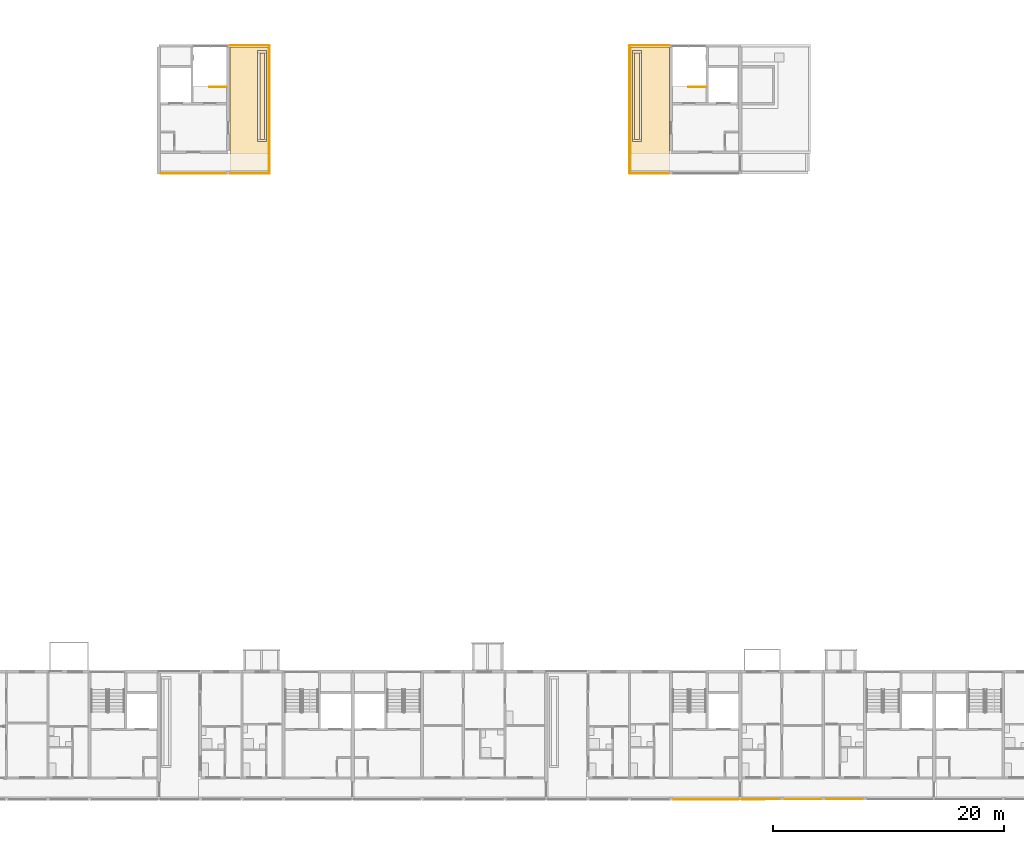
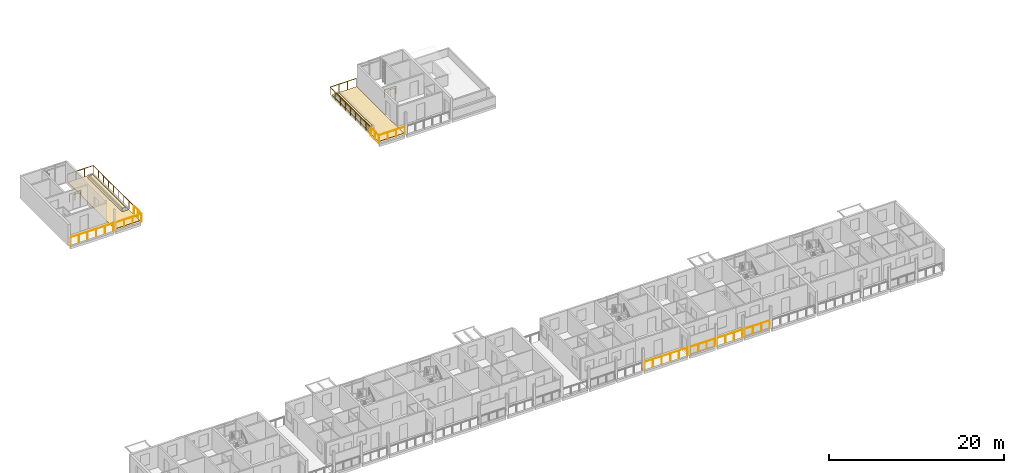
# One storey, part 65 of 78: 13 railings, 6 coverings.
"""IFC4 building model written with IfcOpenShell, lengths in metres."""

from ifc_helpers import new_model, si_unit, direction, frame, origin, origin_2d, place, context, subcontext, project, spatial, polyline, circle, outline, extrude, material, layer, layer_set, type_object, element, save


model = new_model("IFC4")

# Units and contexts
model_context = context("Model", 3, precision=1e-05, world=origin(), true_north=direction((0.0, 1.0)))
body_context = subcontext(model_context, "Body", "Model", "MODEL_VIEW")
ifc_project = project(units=[si_unit("LENGTHUNIT", "METRE"), si_unit("AREAUNIT", "SQUARE_METRE"), si_unit("VOLUMEUNIT", "CUBIC_METRE"), si_unit("PLANEANGLEUNIT", "RADIAN"), si_unit("MASSUNIT", "GRAM", prefix="KILO")], contexts=[model_context])

# Site, building, storey
site_placement = place(None, origin())
site = spatial("IfcSite", under=ifc_project, at=site_placement, CompositionType="ELEMENT")
building_placement = place(site_placement, origin())
building = spatial("IfcBuilding", under=site, at=building_placement, Name="Ridgestep Commons", CompositionType="ELEMENT")
storey_placement = place(building_placement, frame((0.0, 0.0, 30.0)))
storey = spatial("IfcBuildingStorey", under=building, at=storey_placement, Name="L10", CompositionType="ELEMENT", Elevation=30.0)

# Railings
ifc_material_1 = material(Name="Structural steel S355JR", Category="steel")
railing_type_1 = type_object("IfcRailingType", Name="Guard 1100", PredefinedType="GUARDRAIL", material=ifc_material_1)
railing_1_placement = place(storey_placement, frame((38.37890625, 67.821044921875, 0.0)))
element("IfcRailing", 1, at=railing_1_placement, inside=storey, type_object=railing_type_1, Name="Guard TD-B2R3-GD", PredefinedType="GUARDRAIL", context=body_context, shape_type="SweptSolid", body=[
    extrude(circle(Radius=0.02392578125, at=origin_2d()), frame((0.0, 0.0, 1.076171875), z_axis=(0.0, 1.0, 0.0), x_axis=(-1.0, 0.0, 0.0)), (0.0, 0.0, 1.0), 9.303955078125),
    extrude(circle(Radius=0.02392578125, at=origin_2d()), frame((0.0, 9.303955078125, 1.076171875), z_axis=(-1.0, 0.0, 0.0), x_axis=(0.0, -1.0, 0.0)), (0.0, 0.0, 1.0), 3.432861328125),
    extrude(circle(Radius=0.02099609375, at=origin_2d()), origin(), (0.0, 0.0, 1.0), 1.052001953125),
    extrude(circle(Radius=0.02099609375, at=origin_2d()), frame((0.0, 1.1630859375, 0.0)), (0.0, 0.0, 1.0), 1.052001953125),
    extrude(circle(Radius=0.02099609375, at=origin_2d()), frame((0.0, 2.325927734375, 0.0)), (0.0, 0.0, 1.0), 1.052001953125),
    extrude(circle(Radius=0.02099609375, at=origin_2d()), frame((0.0, 3.489013671875, 0.0)), (0.0, 0.0, 1.0), 1.052001953125),
    extrude(circle(Radius=0.02099609375, at=origin_2d()), frame((0.0, 4.65185546875, 0.0)), (0.0, 0.0, 1.0), 1.052001953125),
    extrude(circle(Radius=0.02099609375, at=origin_2d()), frame((0.0, 5.81494140625, 0.0)), (0.0, 0.0, 1.0), 1.052001953125),
    extrude(circle(Radius=0.02099609375, at=origin_2d()), frame((0.0, 6.97802734375, 0.0)), (0.0, 0.0, 1.0), 1.052001953125),
    extrude(circle(Radius=0.02099609375, at=origin_2d()), frame((0.0, 8.140869140625, 0.0)), (0.0, 0.0, 1.0), 1.052001953125),
    extrude(circle(Radius=0.02099609375, at=origin_2d()), frame((0.0, 9.303955078125, 0.0)), (0.0, 0.0, 1.0), 1.052001953125),
    extrude(circle(Radius=0.02099609375, at=origin_2d()), frame((-1.144287109375, 9.303955078125, 0.0)), (0.0, 0.0, 1.0), 1.052001953125),
    extrude(circle(Radius=0.02099609375, at=origin_2d()), frame((-2.28857421875, 9.303955078125, 0.0)), (0.0, 0.0, 1.0), 1.052001953125),
    extrude(circle(Radius=0.02099609375, at=origin_2d()), frame((-3.432861328125, 9.303955078125, 0.0)), (0.0, 0.0, 1.0), 1.052001953125),
])
railing_2_placement = place(storey_placement, frame((69.62109375, 67.821044921875, 0.0)))
element("IfcRailing", 2, at=railing_2_placement, inside=storey, type_object=railing_type_1, Name="Guard TD-B4R3-GD", PredefinedType="GUARDRAIL", context=body_context, shape_type="SweptSolid", body=[
    extrude(circle(Radius=0.02392578125, at=origin_2d()), frame((0.0, 0.0, 1.076171875), z_axis=(0.0, 1.0, 0.0), x_axis=(-1.0, 0.0, 0.0)), (0.0, 0.0, 1.0), 9.303955078125),
    extrude(circle(Radius=0.02392578125, at=origin_2d()), frame((0.0, 9.303955078125, 1.076171875), z_axis=(1.0, 0.0, 0.0), x_axis=(0.0, 1.0, 0.0)), (0.0, 0.0, 1.0), 3.432861328125),
    extrude(circle(Radius=0.02099609375, at=origin_2d()), origin(), (0.0, 0.0, 1.0), 1.052001953125),
    extrude(circle(Radius=0.02099609375, at=origin_2d()), frame((0.0, 1.1630859375, 0.0)), (0.0, 0.0, 1.0), 1.052001953125),
    extrude(circle(Radius=0.02099609375, at=origin_2d()), frame((0.0, 2.325927734375, 0.0)), (0.0, 0.0, 1.0), 1.052001953125),
    extrude(circle(Radius=0.02099609375, at=origin_2d()), frame((0.0, 3.489013671875, 0.0)), (0.0, 0.0, 1.0), 1.052001953125),
    extrude(circle(Radius=0.02099609375, at=origin_2d()), frame((0.0, 4.65185546875, 0.0)), (0.0, 0.0, 1.0), 1.052001953125),
    extrude(circle(Radius=0.02099609375, at=origin_2d()), frame((0.0, 5.81494140625, 0.0)), (0.0, 0.0, 1.0), 1.052001953125),
    extrude(circle(Radius=0.02099609375, at=origin_2d()), frame((0.0, 6.97802734375, 0.0)), (0.0, 0.0, 1.0), 1.052001953125),
    extrude(circle(Radius=0.02099609375, at=origin_2d()), frame((0.0, 8.140869140625, 0.0)), (0.0, 0.0, 1.0), 1.052001953125),
    extrude(circle(Radius=0.02099609375, at=origin_2d()), frame((0.0, 9.303955078125, 0.0)), (0.0, 0.0, 1.0), 1.052001953125),
    extrude(circle(Radius=0.02099609375, at=origin_2d()), frame((1.144287109375, 9.303955078125, 0.0)), (0.0, 0.0, 1.0), 1.052001953125),
    extrude(circle(Radius=0.02099609375, at=origin_2d()), frame((2.28857421875, 9.303955078125, 0.0)), (0.0, 0.0, 1.0), 1.052001953125),
    extrude(circle(Radius=0.02099609375, at=origin_2d()), frame((3.432861328125, 9.303955078125, 0.0)), (0.0, 0.0, 1.0), 1.052001953125),
])
railing_3_placement = place(storey_placement, frame((73.345947265625, 11.800048828125, 0.0)))
element("IfcRailing", 3, at=railing_3_placement, inside=storey, type_object=railing_type_1, Name="Gallery guard A 10.16", PredefinedType="GUARDRAIL", context=body_context, shape_type="SweptSolid", body=[
    extrude(circle(Radius=0.02392578125, at=origin_2d()), frame((0.0, 0.0, 1.076171875), z_axis=(1.0, 0.0, 0.0), x_axis=(0.0, 1.0, 0.0)), (0.0, 0.0, 1.0), 5.68310546875),
    extrude(circle(Radius=0.02099609375, at=origin_2d()), origin(), (0.0, 0.0, 1.0), 1.052001953125),
    extrude(circle(Radius=0.02099609375, at=origin_2d()), frame((1.13671875, 0.0, 0.0)), (0.0, 0.0, 1.0), 1.052001953125),
    extrude(circle(Radius=0.02099609375, at=origin_2d()), frame((2.273193359375, 0.0, 0.0)), (0.0, 0.0, 1.0), 1.052001953125),
    extrude(circle(Radius=0.02099609375, at=origin_2d()), frame((3.409912109375, 0.0, 0.0)), (0.0, 0.0, 1.0), 1.052001953125),
    extrude(circle(Radius=0.02099609375, at=origin_2d()), frame((4.54638671875, 0.0, 0.0)), (0.0, 0.0, 1.0), 1.052001953125),
    extrude(circle(Radius=0.02099609375, at=origin_2d()), frame((5.68310546875, 0.0, 0.0)), (0.0, 0.0, 1.0), 1.052001953125),
])
railing_4_placement = place(storey_placement, frame((79.37109375, 11.800048828125, 0.0)))
element("IfcRailing", 4, at=railing_4_placement, inside=storey, type_object=railing_type_1, Name="Gallery guard A 10.17", PredefinedType="GUARDRAIL", context=body_context, shape_type="SweptSolid", body=[
    extrude(circle(Radius=0.02392578125, at=origin_2d()), frame((0.0, 0.0, 1.076171875), z_axis=(1.0, 0.0, 0.0), x_axis=(0.0, 1.0, 0.0)), (0.0, 0.0, 1.0), 3.282958984375),
    extrude(circle(Radius=0.02099609375, at=origin_2d()), origin(), (0.0, 0.0, 1.0), 1.052001953125),
    extrude(circle(Radius=0.02099609375, at=origin_2d()), frame((1.09423828125, 0.0, 0.0)), (0.0, 0.0, 1.0), 1.052001953125),
    extrude(circle(Radius=0.02099609375, at=origin_2d()), frame((2.188720703125, 0.0, 0.0)), (0.0, 0.0, 1.0), 1.052001953125),
    extrude(circle(Radius=0.02099609375, at=origin_2d()), frame((3.282958984375, 0.0, 0.0)), (0.0, 0.0, 1.0), 1.052001953125),
])
railing_5_placement = place(storey_placement, frame((82.946044921875, 11.800048828125, 0.0)))
element("IfcRailing", 5, at=railing_5_placement, inside=storey, type_object=railing_type_1, Name="Gallery guard A 10.18", PredefinedType="GUARDRAIL", context=body_context, shape_type="SweptSolid", body=[
    extrude(circle(Radius=0.02392578125, at=origin_2d()), frame((0.0, 0.0, 1.076171875), z_axis=(1.0, 0.0, 0.0), x_axis=(0.0, 1.0, 0.0)), (0.0, 0.0, 1.0), 3.307861328125),
    extrude(circle(Radius=0.02099609375, at=origin_2d()), origin(), (0.0, 0.0, 1.0), 1.052001953125),
    extrude(circle(Radius=0.02099609375, at=origin_2d()), frame((1.1025390625, 0.0, 0.0)), (0.0, 0.0, 1.0), 1.052001953125),
    extrude(circle(Radius=0.02099609375, at=origin_2d()), frame((2.205322265625, 0.0, 0.0)), (0.0, 0.0, 1.0), 1.052001953125),
    extrude(circle(Radius=0.02099609375, at=origin_2d()), frame((3.307861328125, 0.0, 0.0)), (0.0, 0.0, 1.0), 1.052001953125),
])
railing_6_placement = place(storey_placement, frame((86.5458984375, 11.800048828125, 0.0)))
element("IfcRailing", 6, at=railing_6_placement, inside=storey, type_object=railing_type_1, Name="Gallery guard A 10.19", PredefinedType="GUARDRAIL", context=body_context, shape_type="SweptSolid", body=[
    extrude(circle(Radius=0.02392578125, at=origin_2d()), frame((0.0, 0.0, 1.076171875), z_axis=(1.0, 0.0, 0.0), x_axis=(0.0, 1.0, 0.0)), (0.0, 0.0, 1.0), 3.30810546875),
    extrude(circle(Radius=0.02099609375, at=origin_2d()), origin(), (0.0, 0.0, 1.0), 1.052001953125),
    extrude(circle(Radius=0.02099609375, at=origin_2d()), frame((1.102783203125, 0.0, 0.0)), (0.0, 0.0, 1.0), 1.052001953125),
    extrude(circle(Radius=0.02099609375, at=origin_2d()), frame((2.205322265625, 0.0, 0.0)), (0.0, 0.0, 1.0), 1.052001953125),
    extrude(circle(Radius=0.02099609375, at=origin_2d()), frame((3.30810546875, 0.0, 0.0)), (0.0, 0.0, 1.0), 1.052001953125),
])
railing_7_placement = place(storey_placement, frame((28.970947265625, 66.050048828125, 0.0)))
element("IfcRailing", 7, at=railing_7_placement, inside=storey, type_object=railing_type_1, Name="Gallery guard B 10.1", PredefinedType="GUARDRAIL", context=body_context, shape_type="SweptSolid", body=[
    extrude(circle(Radius=0.02392578125, at=origin_2d()), frame((0.0, 0.0, 1.076171875), z_axis=(1.0, 0.0, 0.0), x_axis=(0.0, 1.0, 0.0)), (0.0, 0.0, 1.0), 5.68310546875),
    extrude(circle(Radius=0.02099609375, at=origin_2d()), origin(), (0.0, 0.0, 1.0), 1.052001953125),
    extrude(circle(Radius=0.02099609375, at=origin_2d()), frame((1.13671875, 0.0, 0.0)), (0.0, 0.0, 1.0), 1.052001953125),
    extrude(circle(Radius=0.02099609375, at=origin_2d()), frame((2.273193359375, 0.0, 0.0)), (0.0, 0.0, 1.0), 1.052001953125),
    extrude(circle(Radius=0.02099609375, at=origin_2d()), frame((3.409912109375, 0.0, 0.0)), (0.0, 0.0, 1.0), 1.052001953125),
    extrude(circle(Radius=0.02099609375, at=origin_2d()), frame((4.54638671875, 0.0, 0.0)), (0.0, 0.0, 1.0), 1.052001953125),
    extrude(circle(Radius=0.02099609375, at=origin_2d()), frame((5.68310546875, 0.0, 0.0)), (0.0, 0.0, 1.0), 1.052001953125),
])
railing_8_placement = place(storey_placement, frame((34.946044921875, 66.050048828125, 0.0)))
element("IfcRailing", 8, at=railing_8_placement, inside=storey, type_object=railing_type_1, Name="Gallery guard B 10.2", PredefinedType="GUARDRAIL", context=body_context, shape_type="SweptSolid", body=[
    extrude(circle(Radius=0.02392578125, at=origin_2d()), frame((0.0, 0.0, 1.076171875), z_axis=(1.0, 0.0, 0.0), x_axis=(0.0, 1.0, 0.0)), (0.0, 0.0, 1.0), 3.369873046875),
    extrude(circle(Radius=0.02099609375, at=origin_2d()), origin(), (0.0, 0.0, 1.0), 1.052001953125),
    extrude(circle(Radius=0.02099609375, at=origin_2d()), frame((1.123291015625, 0.0, 0.0)), (0.0, 0.0, 1.0), 1.052001953125),
    extrude(circle(Radius=0.02099609375, at=origin_2d()), frame((2.24658203125, 0.0, 0.0)), (0.0, 0.0, 1.0), 1.052001953125),
    extrude(circle(Radius=0.02099609375, at=origin_2d()), frame((3.369873046875, 0.0, 0.0)), (0.0, 0.0, 1.0), 1.052001953125),
])
railing_9_placement = place(storey_placement, frame((38.37890625, 66.050048828125, 0.0)))
element("IfcRailing", 9, at=railing_9_placement, inside=storey, type_object=railing_type_1, Name="Gallery end guard B 10.2E", PredefinedType="GUARDRAIL", context=body_context, shape_type="SweptSolid", body=[
    extrude(circle(Radius=0.02392578125, at=origin_2d()), frame((0.0, 0.0, 1.076171875), z_axis=(0.0, 1.0, 0.0), x_axis=(-1.0, 0.0, 0.0)), (0.0, 0.0, 1.0), 1.72900390625),
    extrude(circle(Radius=0.02099609375, at=origin_2d()), origin(), (0.0, 0.0, 1.0), 1.052001953125),
    extrude(circle(Radius=0.02099609375, at=origin_2d()), frame((0.0, 0.864501953125, 0.0)), (0.0, 0.0, 1.0), 1.052001953125),
    extrude(circle(Radius=0.02099609375, at=origin_2d()), frame((0.0, 1.72900390625, 0.0)), (0.0, 0.0, 1.0), 1.052001953125),
])
railing_10_placement = place(storey_placement, frame((69.68408203125, 66.050048828125, 0.0)))
element("IfcRailing", 10, at=railing_10_placement, inside=storey, type_object=railing_type_1, Name="Gallery guard B 10.1", PredefinedType="GUARDRAIL", context=body_context, shape_type="SweptSolid", body=[
    extrude(circle(Radius=0.02392578125, at=origin_2d()), frame((0.0, 0.0, 1.076171875), z_axis=(1.0, 0.0, 0.0), x_axis=(0.0, 1.0, 0.0)), (0.0, 0.0, 1.0), 3.369873046875),
    extrude(circle(Radius=0.02099609375, at=origin_2d()), origin(), (0.0, 0.0, 1.0), 1.052001953125),
    extrude(circle(Radius=0.02099609375, at=origin_2d()), frame((1.123291015625, 0.0, 0.0)), (0.0, 0.0, 1.0), 1.052001953125),
    extrude(circle(Radius=0.02099609375, at=origin_2d()), frame((2.24658203125, 0.0, 0.0)), (0.0, 0.0, 1.0), 1.052001953125),
    extrude(circle(Radius=0.02099609375, at=origin_2d()), frame((3.369873046875, 0.0, 0.0)), (0.0, 0.0, 1.0), 1.052001953125),
])
railing_11_placement = place(storey_placement, frame((69.62109375, 66.050048828125, 0.0)))
element("IfcRailing", 11, at=railing_11_placement, inside=storey, type_object=railing_type_1, Name="Gallery end guard B 10.1W", PredefinedType="GUARDRAIL", context=body_context, shape_type="SweptSolid", body=[
    extrude(circle(Radius=0.02392578125, at=origin_2d()), frame((0.0, 0.0, 1.076171875), z_axis=(0.0, 1.0, 0.0), x_axis=(-1.0, 0.0, 0.0)), (0.0, 0.0, 1.0), 1.72900390625),
    extrude(circle(Radius=0.02099609375, at=origin_2d()), origin(), (0.0, 0.0, 1.0), 1.052001953125),
    extrude(circle(Radius=0.02099609375, at=origin_2d()), frame((0.0, 0.864501953125, 0.0)), (0.0, 0.0, 1.0), 1.052001953125),
    extrude(circle(Radius=0.02099609375, at=origin_2d()), frame((0.0, 1.72900390625, 0.0)), (0.0, 0.0, 1.0), 1.052001953125),
])

# Coverings
ifc_material_2 = material(Name="Planting soil")
ifc_layer_1 = layer(ifc_material_2, 0.35009765625)
ifc_layer_set_1 = layer_set([ifc_layer_1], Name="Planting soil 350")
covering_type_1 = type_object("IfcCoveringType", Name="Planting soil 350", PredefinedType="FLOORING", material=ifc_layer_set_1)
covering_1_placement = place(storey_placement, frame((0.0, 0.0, 0.010009765625)))
element("IfcCovering", 12, at=covering_1_placement, inside=storey, type_object=covering_type_1, Name="Planting soil B2R3", PredefinedType="FLOORING", context=body_context, shape_type="SweptSolid", body=[
    extrude(outline(polyline([(37.550048828125, 69.0), (37.949951171875, 69.0), (37.949951171875, 76.5), (37.550048828125, 76.5), (37.550048828125, 69.0)])), origin(), (0.0, 0.0, 1.0), 0.35009765625),
])
covering_2_placement = place(storey_placement, frame((0.0, 0.0, 0.010009765625)))
element("IfcCovering", 13, at=covering_2_placement, inside=storey, type_object=covering_type_1, Name="Planting soil B4R3", PredefinedType="FLOORING", context=body_context, shape_type="SweptSolid", body=[
    extrude(outline(polyline([(70.050048828125, 69.0), (70.449951171875, 69.0), (70.449951171875, 76.5), (70.050048828125, 76.5), (70.050048828125, 69.0)])), origin(), (0.0, 0.0, 1.0), 0.35009765625),
])

# Railings
ifc_material_3 = material(Name="Structural steel S355JR", Category="steel")
railing_type_2 = type_object("IfcRailingType", Name="Stair guard 1100", PredefinedType="GUARDRAIL", material=ifc_material_3)
for number, where, name in (
    (14, (34.675048828125, 73.550048828125, 0.0), "L10 B2C top well guard 1"),
    (15, (76.22509765625, 73.550048828125, 0.0), "L10 B4C top well guard 1"),
):
    element("IfcRailing", number, at=place(storey_placement, frame(where)), inside=storey, type_object=railing_type_2, Name=name, PredefinedType="GUARDRAIL", context=body_context, shape_type="SweptSolid", body=[
        extrude(circle(Radius=0.02392578125, at=origin_2d()), frame((0.0, 0.0, 1.076171875), z_axis=(-1.0, 0.0, 0.0), x_axis=(0.0, -1.0, 0.0)), (0.0, 0.0, 1.0), 1.5),
        extrude(circle(Radius=0.02099609375, at=origin_2d()), origin(), (0.0, 0.0, 1.0), 1.052001953125),
        extrude(circle(Radius=0.02099609375, at=origin_2d()), frame((-0.75, 0.0, 0.0)), (0.0, 0.0, 1.0), 1.052001953125),
        extrude(circle(Radius=0.02099609375, at=origin_2d()), frame((-1.5, 0.0, 0.0)), (0.0, 0.0, 1.0), 1.052001953125),
    ])

# Coverings
ifc_material_4 = material(Name="Bitumen membrane, two layer")
ifc_layer_2 = layer(ifc_material_4, 0.010009765625)
ifc_layer_set_2 = layer_set([ifc_layer_2], Name="Terrace membrane 10")
covering_type_2 = type_object("IfcCoveringType", Name="Terrace membrane 10", PredefinedType="ROOFING", material=ifc_layer_set_2)
covering_3_placement = place(storey_placement, origin())
element("IfcCovering", 16, at=covering_3_placement, inside=storey, type_object=covering_type_2, Name="Terrace membrane B2R3", PredefinedType="ROOFING", context=body_context, shape_type="SweptSolid", body=[
    extrude(outline(polyline([(38.27490234375, 66.25), (38.27490234375, 77.0), (34.949951171875, 77.0), (34.949951171875, 66.25), (38.27490234375, 66.25)]), holes=[polyline([(38.14990234375, 68.800048828125), (38.14990234375, 76.699951171875), (37.35009765625, 76.699951171875), (37.35009765625, 68.800048828125), (38.14990234375, 68.800048828125)])]), origin(), (0.0, 0.0, 1.0), 0.010009765625),
])
covering_4_placement = place(storey_placement, origin())
element("IfcCovering", 17, at=covering_4_placement, inside=storey, type_object=covering_type_2, Name="Terrace membrane B4R3", PredefinedType="ROOFING", context=body_context, shape_type="SweptSolid", body=[
    extrude(outline(polyline([(73.050048828125, 66.25), (73.050048828125, 77.0), (69.72509765625, 77.0), (69.72509765625, 66.25), (73.050048828125, 66.25)]), holes=[polyline([(70.64990234375, 68.800048828125), (70.64990234375, 76.699951171875), (69.85009765625, 76.699951171875), (69.85009765625, 68.800048828125), (70.64990234375, 68.800048828125)])]), origin(), (0.0, 0.0, 1.0), 0.010009765625),
])
ifc_material_5 = material(Name="Concrete paving slab", Category="concrete")
ifc_layer_3 = layer(ifc_material_5, 0.030029296875)
ifc_layer_set_3 = layer_set([ifc_layer_3], Name="Terrace paving 30")
covering_type_3 = type_object("IfcCoveringType", Name="Terrace paving 30", PredefinedType="FLOORING", material=ifc_layer_set_3)
covering_5_placement = place(storey_placement, frame((0.0, 0.0, 0.010009765625)))
element("IfcCovering", 18, at=covering_5_placement, inside=storey, type_object=covering_type_3, Name="Terrace paving B2R3", PredefinedType="FLOORING", context=body_context, shape_type="SweptSolid", body=[
    extrude(outline(polyline([(38.27490234375, 66.25), (38.27490234375, 77.0), (34.949951171875, 77.0), (34.949951171875, 66.25), (38.27490234375, 66.25)]), holes=[polyline([(38.14990234375, 68.800048828125), (38.14990234375, 76.699951171875), (37.35009765625, 76.699951171875), (37.35009765625, 68.800048828125), (38.14990234375, 68.800048828125)])]), origin(), (0.0, 0.0, 1.0), 0.030029296875),
])
covering_6_placement = place(storey_placement, frame((0.0, 0.0, 0.010009765625)))
element("IfcCovering", 19, at=covering_6_placement, inside=storey, type_object=covering_type_3, Name="Terrace paving B4R3", PredefinedType="FLOORING", context=body_context, shape_type="SweptSolid", body=[
    extrude(outline(polyline([(73.050048828125, 66.25), (73.050048828125, 77.0), (69.72509765625, 77.0), (69.72509765625, 66.25), (73.050048828125, 66.25)]), holes=[polyline([(70.64990234375, 68.800048828125), (70.64990234375, 76.699951171875), (69.85009765625, 76.699951171875), (69.85009765625, 68.800048828125), (70.64990234375, 68.800048828125)])]), origin(), (0.0, 0.0, 1.0), 0.030029296875),
])

save(model, "model.ifc")
